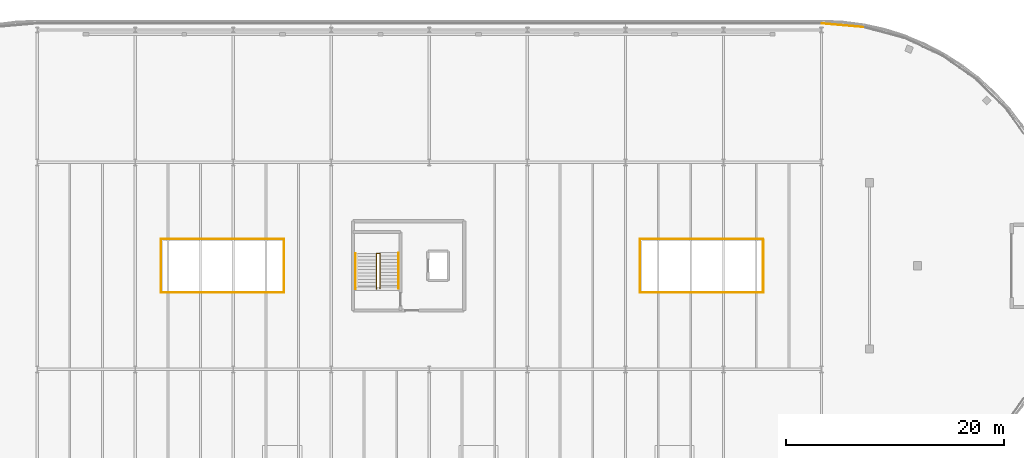
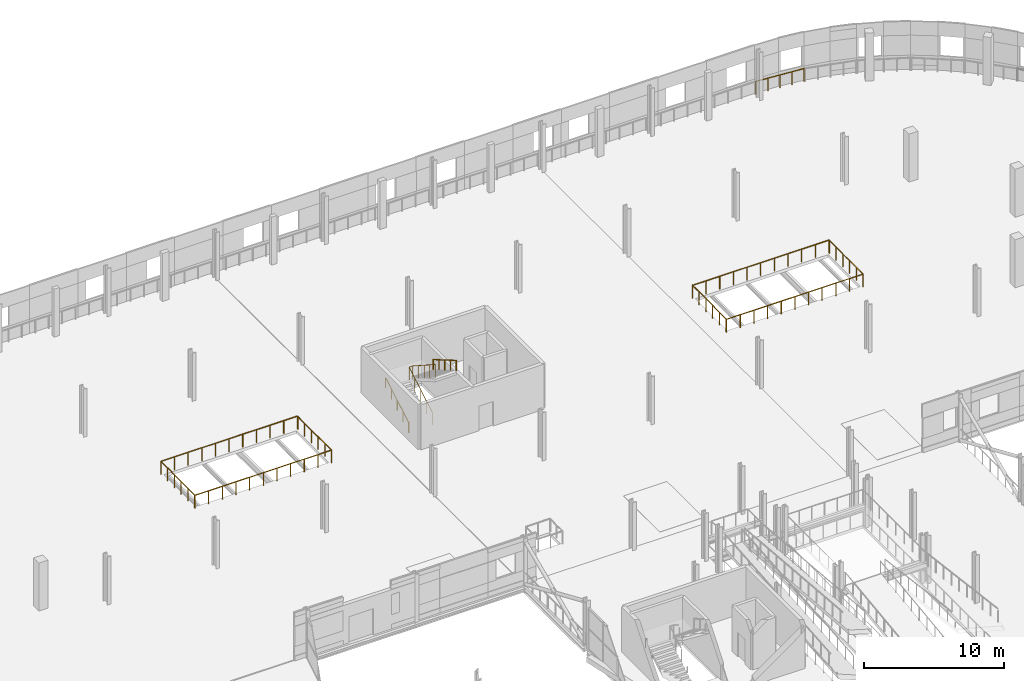
# One storey, part 134 of 140: 8 railings.
"""IFC4 building model written with IfcOpenShell, lengths in metres."""

import ifcopenshell
import ifcopenshell.guid

model = None  # the IFC model being written
_history = None  # IfcOwnerHistory: only IFC2X3 demands one
_inside = {}  # id of a spatial element -> (the spatial element, [elements in it])
_under = {}  # id of a project, library or spatial element -> (it, [spatial elements below it])
_declared = {}  # id of a project -> (the project, [libraries it declares])
_typed = {}  # id of a type object -> (the type object, [elements of that type])
_made_of = {}  # id of a material, layer set ... -> (it, [elements and type objects made of it])


def new_model(schema):
    """Start an empty IFC model of exactly this schema.

    Asked for "IFC4X3", IfcOpenShell would pick the latest addendum, in which some entities
    have other attributes; the version numbers below select the first issue.
    IFC2X3 requires an IfcOwnerHistory on every rooted entity: one is made here for all.
    """
    global model, _history
    if schema == "IFC4X3":
        model = ifcopenshell.file(schema_version=(4, 3, 0, 0))
    else:
        model = ifcopenshell.file(schema=schema)
    _inside.clear()
    _under.clear()
    _declared.clear()
    _typed.clear()
    _made_of.clear()
    _history = None
    if model.schema == "IFC2X3":
        org = make("IfcOrganization", Name="unknown")
        user = make(
            "IfcPersonAndOrganization",
            ThePerson=make("IfcPerson", FamilyName="unknown"),
            TheOrganization=org,
        )
        app = make(
            "IfcApplication",
            ApplicationDeveloper=org,
            Version="unknown",
            ApplicationFullName="unknown",
            ApplicationIdentifier="unknown",
        )
        _history = make(
            "IfcOwnerHistory",
            OwningUser=user,
            OwningApplication=app,
            ChangeAction="ADDED",
            CreationDate=0,
        )
    return model


def make(cls, **values):
    """One entity of the class cls with the attributes given. An attribute that is None is left unset."""
    return model.create_entity(
        cls, **{name: value for name, value in values.items() if value is not None}
    )


def rooted(cls, **values):
    """An entity with a GlobalId (a new one), such as an element, a storey or a relation."""
    return make(cls, GlobalId=ifcopenshell.guid.new(), OwnerHistory=_history, **values)


def si_unit(unit_type, name, prefix=None):
    """IfcSIUnit, for example si_unit("LENGTHUNIT", "METRE", prefix="MILLI")."""
    return make("IfcSIUnit", UnitType=unit_type, Prefix=prefix, Name=name)


def assignment(units):
    """IfcUnitAssignment: the units of a project."""
    return None if units is None else make("IfcUnitAssignment", Units=units)


def point(xyz):
    """IfcCartesianPoint."""
    return None if xyz is None else make("IfcCartesianPoint", Coordinates=xyz)


def direction(xyz):
    """IfcDirection."""
    return None if xyz is None else make("IfcDirection", DirectionRatios=xyz)


def frame(location, z_axis=None, x_axis=None):
    """IfcAxis2Placement3D, a coordinate frame: its origin and axes. An axis left out is left unset."""
    return make(
        "IfcAxis2Placement3D",
        Location=point(location),
        Axis=direction(z_axis),
        RefDirection=direction(x_axis),
    )


def frame_2d(location, x_axis=None):
    """IfcAxis2Placement2D, a coordinate frame in the plane: its origin and x axis."""
    return make(
        "IfcAxis2Placement2D", Location=point(location), RefDirection=direction(x_axis)
    )


def origin():
    """The frame at (0, 0, 0) with its axes left unset."""
    return frame((0.0, 0.0, 0.0))


def origin_2d():
    """The frame at (0, 0) in the plane with its x axis left unset."""
    return frame_2d((0.0, 0.0))


def place(relative_to, where):
    """IfcLocalPlacement: puts the frame where relative to a parent placement (None: the world)."""
    return make(
        "IfcLocalPlacement", PlacementRelTo=relative_to, RelativePlacement=where
    )


def context(
    kind, dimensions, precision=None, world=None, true_north=None, identifier=None
):
    """IfcGeometricRepresentationContext, for example the 3D "Model" context."""
    return make(
        "IfcGeometricRepresentationContext",
        ContextIdentifier=identifier,
        ContextType=kind,
        CoordinateSpaceDimension=dimensions,
        Precision=precision,
        WorldCoordinateSystem=world,
        TrueNorth=true_north,
    )


def subcontext(parent, identifier, kind, view, scale=None):
    """IfcGeometricRepresentationSubContext, for example "Body" below "Model"."""
    return make(
        "IfcGeometricRepresentationSubContext",
        ContextIdentifier=identifier,
        ContextType=kind,
        ParentContext=parent,
        TargetScale=scale,
        TargetView=view,
    )


def project(units=None, contexts=None):
    """IfcProject with its units and contexts."""
    return rooted(
        "IfcProject",
        Name="project",
        RepresentationContexts=contexts,
        UnitsInContext=assignment(units),
    )


def spatial(cls, under=None, at=None, **own):
    """A site, building, storey or space (cls), placed at a placement, below another one or the project."""
    s = rooted(cls, ObjectPlacement=at, **own)
    if under is not None:
        _under.setdefault(under.id(), (under, []))[1].append(s)
    return s


def profile(cls, at=None, kind="AREA", **sizes):
    """A parametric profile (cls). Its sizes go by their IFC names, for example OverallWidth=200.0."""
    return make(cls, ProfileType=kind, Position=at, **sizes)


def circle(**sizes):
    """IfcCircleProfileDef."""
    return profile("IfcCircleProfileDef", **sizes)


def extrude(swept, where, along, depth):
    """IfcExtrudedAreaSolid: the profile swept, set in the frame where, extruded along a direction by depth."""
    return make(
        "IfcExtrudedAreaSolid",
        SweptArea=swept,
        Position=where,
        ExtrudedDirection=direction(along),
        Depth=depth,
    )


def shape(context_of_items, identifier, shape_type, items):
    """IfcShapeRepresentation: the items that make up one representation, for example the "Body"."""
    return make(
        "IfcShapeRepresentation",
        ContextOfItems=context_of_items,
        RepresentationIdentifier=identifier,
        RepresentationType=shape_type,
        Items=items,
    )


def material(Name=None, Category=None):
    """IfcMaterial."""
    return make("IfcMaterial", Name=Name, Category=Category)


def made_of(thing, what):
    """Note that an element or type object is made of a material, layer set ...; save() writes the relation."""
    if what is not None:
        _made_of.setdefault(what.id(), (what, []))[1].append(thing)
    return thing


def type_object(cls, material=None, **own):
    """A type object (cls), such as IfcWallType, which elements share."""
    return made_of(rooted(cls, **own), material)


def element(
    cls,
    number,
    at=None,
    inside=None,
    cuts=None,
    type_object=None,
    material=None,
    context=None,
    identifier="Body",
    shape_type=None,
    held_by="IfcProductDefinitionShape",
    body=None,
    shapes=None,
    **own,
):
    """One element of the class cls, such as IfcWall. Its Tag is "e" and its number.

    at: its placement. inside: the storey or other place that contains it. cuts: it is an
    opening in that element (IfcRelVoidsElement). A single representation is given by context,
    identifier, shape_type and body (its items); several are given by shapes. held_by: the class
    of the entity that holds the representations. save() writes the other relations.
    """
    e = rooted(cls, Tag="e%d" % number, ObjectPlacement=at, **own)
    if body is not None:
        shapes = [shape(context, identifier, shape_type, body)]
    if shapes is not None:
        e.Representation = make(held_by, Representations=shapes)
    if inside is not None:
        _inside.setdefault(inside.id(), (inside, []))[1].append(e)
    if cuts is not None:
        rooted(
            "IfcRelVoidsElement", RelatingBuildingElement=cuts, RelatedOpeningElement=e
        )
    if type_object is not None:
        _typed.setdefault(type_object.id(), (type_object, []))[1].append(e)
    return made_of(e, material)


def aggregate(whole, parts):
    """IfcRelAggregates: a whole, such as a stair, and the parts it consists of."""
    return rooted("IfcRelAggregates", RelatingObject=whole, RelatedObjects=parts)


def save(model, path):
    """Write the relations noted so far, then the file.

    IfcRelAggregates (storeys below a building ...), IfcRelContainedInSpatialStructure (elements
    in a storey), IfcRelDefinesByType, IfcRelAssociatesMaterial and IfcRelDeclares: one each for
    every whole, place, type object, material and project.
    """
    for whole, parts in _under.values():
        aggregate(whole, parts)
    for where, things in _inside.values():
        rooted(
            "IfcRelContainedInSpatialStructure",
            RelatedElements=things,
            RelatingStructure=where,
        )
    for kind, things in _typed.values():
        rooted("IfcRelDefinesByType", RelatedObjects=things, RelatingType=kind)
    for what, things in _made_of.values():
        rooted("IfcRelAssociatesMaterial", RelatedObjects=things, RelatingMaterial=what)
    for by, libraries in _declared.values():
        rooted("IfcRelDeclares", RelatingContext=by, RelatedDefinitions=libraries)
    model.write(path)


model = new_model("IFC4")

# Units and contexts
model_context = context("Model", 3, precision=1e-05, world=origin(), true_north=direction((0.0, 1.0)))
body_context = subcontext(model_context, "Body", "Model", "MODEL_VIEW")
ifc_project = project(units=[si_unit("LENGTHUNIT", "METRE"), si_unit("AREAUNIT", "SQUARE_METRE"), si_unit("VOLUMEUNIT", "CUBIC_METRE"), si_unit("PLANEANGLEUNIT", "RADIAN"), si_unit("MASSUNIT", "GRAM", prefix="KILO")], contexts=[model_context])

# Site, building, storey
site_placement = place(None, origin())
site = spatial("IfcSite", under=ifc_project, at=site_placement, CompositionType="ELEMENT")
building_placement = place(site_placement, origin())
building = spatial("IfcBuilding", under=site, at=building_placement, Name="Deido Ridge Mobility Hub", CompositionType="ELEMENT")
storey_placement = place(building_placement, origin())
storey = spatial("IfcBuildingStorey", under=building, at=storey_placement, Name="L00", CompositionType="ELEMENT", Elevation=0.0)

# Railings
ifc_material_1 = material(Name="Galvanised steel work", Category="steel")
railing_type_1 = type_object("IfcRailingType", Name="RL-GRD-EXT-1150", PredefinedType="GUARDRAIL", material=ifc_material_1)
railing_1_placement = place(storey_placement, frame((120.823974609375, 125.41552734375, 0.0)))
element("IfcRailing", 1, at=railing_1_placement, inside=storey, type_object=railing_type_1, Name="Parking drum perimeter guard (L00)", PredefinedType="GUARDRAIL", context=body_context, shape_type="SweptSolid", body=[
    extrude(circle(Radius=0.02392578125, at=origin_2d()), frame((0.0, 0.0, 1.1259765625), z_axis=(-0.996195112607, 0.08715100469, 0.0), x_axis=(-0.08715100469, -0.996195112607, 0.0)), (0.0, 0.0, 1.0), 3.798583984375),
    extrude(circle(Radius=0.02099609375, at=origin_2d()), origin(), (0.0, 0.0, 1.0), 1.101806640625),
    extrude(circle(Radius=0.02099609375, at=origin_2d()), frame((-0.946044921875, 0.082763671875, 0.0)), (0.0, 0.0, 1.0), 1.101806640625),
    extrude(circle(Radius=0.02099609375, at=origin_2d()), frame((-1.89208984375, 0.16552734375, 0.0)), (0.0, 0.0, 1.0), 1.101806640625),
    extrude(circle(Radius=0.02099609375, at=origin_2d()), frame((-2.838134765625, 0.248291015625, 0.0)), (0.0, 0.0, 1.0), 1.101806640625),
    extrude(circle(Radius=0.02099609375, at=origin_2d()), frame((-3.7841796875, 0.3310546875, 0.0)), (0.0, 0.0, 1.0), 1.101806640625),
])
railing_2_placement = place(storey_placement, frame((56.35009765625, 101.050048828125, 0.0)))
element("IfcRailing", 2, at=railing_2_placement, inside=storey, type_object=railing_type_1, Name="Parking west lightwell guard (L00) A", PredefinedType="GUARDRAIL", context=body_context, shape_type="SweptSolid", body=[
    extrude(circle(Radius=0.02392578125, at=origin_2d()), frame((0.0, 0.0, 1.1259765625), z_axis=(1.0, 0.0, 0.0), x_axis=(0.0, 1.0, 0.0)), (0.0, 0.0, 1.0), 11.2998046875),
    extrude(circle(Radius=0.02392578125, at=origin_2d()), frame((11.2998046875, 0.0, 1.1259765625), z_axis=(0.0, 1.0, 0.0), x_axis=(-1.0, 0.0, 0.0)), (0.0, 0.0, 1.0), 4.83984375),
    extrude(circle(Radius=0.02099609375, at=origin_2d()), origin(), (0.0, 0.0, 1.0), 1.101806640625),
    extrude(circle(Radius=0.02099609375, at=origin_2d()), frame((1.1298828125, 0.0, 0.0)), (0.0, 0.0, 1.0), 1.101806640625),
    extrude(circle(Radius=0.02099609375, at=origin_2d()), frame((2.260009765625, 0.0, 0.0)), (0.0, 0.0, 1.0), 1.101806640625),
    extrude(circle(Radius=0.02099609375, at=origin_2d()), frame((3.389892578125, 0.0, 0.0)), (0.0, 0.0, 1.0), 1.101806640625),
    extrude(circle(Radius=0.02099609375, at=origin_2d()), frame((4.52001953125, 0.0, 0.0)), (0.0, 0.0, 1.0), 1.101806640625),
    extrude(circle(Radius=0.02099609375, at=origin_2d()), frame((5.64990234375, 0.0, 0.0)), (0.0, 0.0, 1.0), 1.101806640625),
    extrude(circle(Radius=0.02099609375, at=origin_2d()), frame((6.77978515625, 0.0, 0.0)), (0.0, 0.0, 1.0), 1.101806640625),
    extrude(circle(Radius=0.02099609375, at=origin_2d()), frame((7.909912109375, 0.0, 0.0)), (0.0, 0.0, 1.0), 1.101806640625),
    extrude(circle(Radius=0.02099609375, at=origin_2d()), frame((9.039794921875, 0.0, 0.0)), (0.0, 0.0, 1.0), 1.101806640625),
    extrude(circle(Radius=0.02099609375, at=origin_2d()), frame((10.169921875, 0.0, 0.0)), (0.0, 0.0, 1.0), 1.101806640625),
    extrude(circle(Radius=0.02099609375, at=origin_2d()), frame((11.2998046875, 0.0, 0.0)), (0.0, 0.0, 1.0), 1.101806640625),
    extrude(circle(Radius=0.02099609375, at=origin_2d()), frame((11.2998046875, 0.968017578125, 0.0)), (0.0, 0.0, 1.0), 1.101806640625),
    extrude(circle(Radius=0.02099609375, at=origin_2d()), frame((11.2998046875, 1.93603515625, 0.0)), (0.0, 0.0, 1.0), 1.101806640625),
    extrude(circle(Radius=0.02099609375, at=origin_2d()), frame((11.2998046875, 2.90380859375, 0.0)), (0.0, 0.0, 1.0), 1.101806640625),
    extrude(circle(Radius=0.02099609375, at=origin_2d()), frame((11.2998046875, 3.871826171875, 0.0)), (0.0, 0.0, 1.0), 1.101806640625),
    extrude(circle(Radius=0.02099609375, at=origin_2d()), frame((11.2998046875, 4.83984375, 0.0)), (0.0, 0.0, 1.0), 1.101806640625),
])
railing_3_placement = place(storey_placement, frame((67.64990234375, 105.949951171875, 0.0)))
element("IfcRailing", 3, at=railing_3_placement, inside=storey, type_object=railing_type_1, Name="Parking west lightwell guard (L00) B", PredefinedType="GUARDRAIL", context=body_context, shape_type="SweptSolid", body=[
    extrude(circle(Radius=0.02392578125, at=origin_2d()), frame((0.0, 0.0, 1.1259765625), z_axis=(-1.0, 0.0, 0.0), x_axis=(0.0, -1.0, 0.0)), (0.0, 0.0, 1.0), 11.2998046875),
    extrude(circle(Radius=0.02392578125, at=origin_2d()), frame((-11.2998046875, 0.0, 1.1259765625), z_axis=(0.0, -1.0, 0.0), x_axis=(1.0, 0.0, 0.0)), (0.0, 0.0, 1.0), 4.83984375),
    extrude(circle(Radius=0.02099609375, at=origin_2d()), origin(), (0.0, 0.0, 1.0), 1.101806640625),
    extrude(circle(Radius=0.02099609375, at=origin_2d()), frame((-1.1298828125, 0.0, 0.0)), (0.0, 0.0, 1.0), 1.101806640625),
    extrude(circle(Radius=0.02099609375, at=origin_2d()), frame((-2.260009765625, 0.0, 0.0)), (0.0, 0.0, 1.0), 1.101806640625),
    extrude(circle(Radius=0.02099609375, at=origin_2d()), frame((-3.389892578125, 0.0, 0.0)), (0.0, 0.0, 1.0), 1.101806640625),
    extrude(circle(Radius=0.02099609375, at=origin_2d()), frame((-4.52001953125, 0.0, 0.0)), (0.0, 0.0, 1.0), 1.101806640625),
    extrude(circle(Radius=0.02099609375, at=origin_2d()), frame((-5.64990234375, 0.0, 0.0)), (0.0, 0.0, 1.0), 1.101806640625),
    extrude(circle(Radius=0.02099609375, at=origin_2d()), frame((-6.77978515625, 0.0, 0.0)), (0.0, 0.0, 1.0), 1.101806640625),
    extrude(circle(Radius=0.02099609375, at=origin_2d()), frame((-7.909912109375, 0.0, 0.0)), (0.0, 0.0, 1.0), 1.101806640625),
    extrude(circle(Radius=0.02099609375, at=origin_2d()), frame((-9.039794921875, 0.0, 0.0)), (0.0, 0.0, 1.0), 1.101806640625),
    extrude(circle(Radius=0.02099609375, at=origin_2d()), frame((-10.169921875, 0.0, 0.0)), (0.0, 0.0, 1.0), 1.101806640625),
    extrude(circle(Radius=0.02099609375, at=origin_2d()), frame((-11.2998046875, 0.0, 0.0)), (0.0, 0.0, 1.0), 1.101806640625),
    extrude(circle(Radius=0.02099609375, at=origin_2d()), frame((-11.2998046875, -0.968017578125, 0.0)), (0.0, 0.0, 1.0), 1.101806640625),
    extrude(circle(Radius=0.02099609375, at=origin_2d()), frame((-11.2998046875, -1.93603515625, 0.0)), (0.0, 0.0, 1.0), 1.101806640625),
    extrude(circle(Radius=0.02099609375, at=origin_2d()), frame((-11.2998046875, -2.90380859375, 0.0)), (0.0, 0.0, 1.0), 1.101806640625),
    extrude(circle(Radius=0.02099609375, at=origin_2d()), frame((-11.2998046875, -3.871826171875, 0.0)), (0.0, 0.0, 1.0), 1.101806640625),
    extrude(circle(Radius=0.02099609375, at=origin_2d()), frame((-11.2998046875, -4.83984375, 0.0)), (0.0, 0.0, 1.0), 1.101806640625),
])
railing_4_placement = place(storey_placement, frame((100.35009765625, 101.050048828125, 0.0)))
element("IfcRailing", 4, at=railing_4_placement, inside=storey, type_object=railing_type_1, Name="Parking east lightwell guard (L00) A", PredefinedType="GUARDRAIL", context=body_context, shape_type="SweptSolid", body=[
    extrude(circle(Radius=0.02392578125, at=origin_2d()), frame((0.0, 0.0, 1.1259765625), z_axis=(1.0, 0.0, 0.0), x_axis=(0.0, 1.0, 0.0)), (0.0, 0.0, 1.0), 11.2998046875),
    extrude(circle(Radius=0.02392578125, at=origin_2d()), frame((11.2998046875, 0.0, 1.1259765625), z_axis=(0.0, 1.0, 0.0), x_axis=(-1.0, 0.0, 0.0)), (0.0, 0.0, 1.0), 4.83984375),
    extrude(circle(Radius=0.02099609375, at=origin_2d()), origin(), (0.0, 0.0, 1.0), 1.101806640625),
    extrude(circle(Radius=0.02099609375, at=origin_2d()), frame((1.1298828125, 0.0, 0.0)), (0.0, 0.0, 1.0), 1.101806640625),
    extrude(circle(Radius=0.02099609375, at=origin_2d()), frame((2.260009765625, 0.0, 0.0)), (0.0, 0.0, 1.0), 1.101806640625),
    extrude(circle(Radius=0.02099609375, at=origin_2d()), frame((3.389892578125, 0.0, 0.0)), (0.0, 0.0, 1.0), 1.101806640625),
    extrude(circle(Radius=0.02099609375, at=origin_2d()), frame((4.52001953125, 0.0, 0.0)), (0.0, 0.0, 1.0), 1.101806640625),
    extrude(circle(Radius=0.02099609375, at=origin_2d()), frame((5.64990234375, 0.0, 0.0)), (0.0, 0.0, 1.0), 1.101806640625),
    extrude(circle(Radius=0.02099609375, at=origin_2d()), frame((6.77978515625, 0.0, 0.0)), (0.0, 0.0, 1.0), 1.101806640625),
    extrude(circle(Radius=0.02099609375, at=origin_2d()), frame((7.909912109375, 0.0, 0.0)), (0.0, 0.0, 1.0), 1.101806640625),
    extrude(circle(Radius=0.02099609375, at=origin_2d()), frame((9.039794921875, 0.0, 0.0)), (0.0, 0.0, 1.0), 1.101806640625),
    extrude(circle(Radius=0.02099609375, at=origin_2d()), frame((10.169921875, 0.0, 0.0)), (0.0, 0.0, 1.0), 1.101806640625),
    extrude(circle(Radius=0.02099609375, at=origin_2d()), frame((11.2998046875, 0.0, 0.0)), (0.0, 0.0, 1.0), 1.101806640625),
    extrude(circle(Radius=0.02099609375, at=origin_2d()), frame((11.2998046875, 0.968017578125, 0.0)), (0.0, 0.0, 1.0), 1.101806640625),
    extrude(circle(Radius=0.02099609375, at=origin_2d()), frame((11.2998046875, 1.93603515625, 0.0)), (0.0, 0.0, 1.0), 1.101806640625),
    extrude(circle(Radius=0.02099609375, at=origin_2d()), frame((11.2998046875, 2.90380859375, 0.0)), (0.0, 0.0, 1.0), 1.101806640625),
    extrude(circle(Radius=0.02099609375, at=origin_2d()), frame((11.2998046875, 3.871826171875, 0.0)), (0.0, 0.0, 1.0), 1.101806640625),
    extrude(circle(Radius=0.02099609375, at=origin_2d()), frame((11.2998046875, 4.83984375, 0.0)), (0.0, 0.0, 1.0), 1.101806640625),
])
railing_5_placement = place(storey_placement, frame((111.64990234375, 105.949951171875, 0.0)))
element("IfcRailing", 5, at=railing_5_placement, inside=storey, type_object=railing_type_1, Name="Parking east lightwell guard (L00) B", PredefinedType="GUARDRAIL", context=body_context, shape_type="SweptSolid", body=[
    extrude(circle(Radius=0.02392578125, at=origin_2d()), frame((0.0, 0.0, 1.1259765625), z_axis=(-1.0, 0.0, 0.0), x_axis=(0.0, -1.0, 0.0)), (0.0, 0.0, 1.0), 11.2998046875),
    extrude(circle(Radius=0.02392578125, at=origin_2d()), frame((-11.2998046875, 0.0, 1.1259765625), z_axis=(0.0, -1.0, 0.0), x_axis=(1.0, 0.0, 0.0)), (0.0, 0.0, 1.0), 4.83984375),
    extrude(circle(Radius=0.02099609375, at=origin_2d()), origin(), (0.0, 0.0, 1.0), 1.101806640625),
    extrude(circle(Radius=0.02099609375, at=origin_2d()), frame((-1.1298828125, 0.0, 0.0)), (0.0, 0.0, 1.0), 1.101806640625),
    extrude(circle(Radius=0.02099609375, at=origin_2d()), frame((-2.260009765625, 0.0, 0.0)), (0.0, 0.0, 1.0), 1.101806640625),
    extrude(circle(Radius=0.02099609375, at=origin_2d()), frame((-3.389892578125, 0.0, 0.0)), (0.0, 0.0, 1.0), 1.101806640625),
    extrude(circle(Radius=0.02099609375, at=origin_2d()), frame((-4.52001953125, 0.0, 0.0)), (0.0, 0.0, 1.0), 1.101806640625),
    extrude(circle(Radius=0.02099609375, at=origin_2d()), frame((-5.64990234375, 0.0, 0.0)), (0.0, 0.0, 1.0), 1.101806640625),
    extrude(circle(Radius=0.02099609375, at=origin_2d()), frame((-6.77978515625, 0.0, 0.0)), (0.0, 0.0, 1.0), 1.101806640625),
    extrude(circle(Radius=0.02099609375, at=origin_2d()), frame((-7.909912109375, 0.0, 0.0)), (0.0, 0.0, 1.0), 1.101806640625),
    extrude(circle(Radius=0.02099609375, at=origin_2d()), frame((-9.039794921875, 0.0, 0.0)), (0.0, 0.0, 1.0), 1.101806640625),
    extrude(circle(Radius=0.02099609375, at=origin_2d()), frame((-10.169921875, 0.0, 0.0)), (0.0, 0.0, 1.0), 1.101806640625),
    extrude(circle(Radius=0.02099609375, at=origin_2d()), frame((-11.2998046875, 0.0, 0.0)), (0.0, 0.0, 1.0), 1.101806640625),
    extrude(circle(Radius=0.02099609375, at=origin_2d()), frame((-11.2998046875, -0.968017578125, 0.0)), (0.0, 0.0, 1.0), 1.101806640625),
    extrude(circle(Radius=0.02099609375, at=origin_2d()), frame((-11.2998046875, -1.93603515625, 0.0)), (0.0, 0.0, 1.0), 1.101806640625),
    extrude(circle(Radius=0.02099609375, at=origin_2d()), frame((-11.2998046875, -2.90380859375, 0.0)), (0.0, 0.0, 1.0), 1.101806640625),
    extrude(circle(Radius=0.02099609375, at=origin_2d()), frame((-11.2998046875, -3.871826171875, 0.0)), (0.0, 0.0, 1.0), 1.101806640625),
    extrude(circle(Radius=0.02099609375, at=origin_2d()), frame((-11.2998046875, -4.83984375, 0.0)), (0.0, 0.0, 1.0), 1.101806640625),
])
railing_type_2 = type_object("IfcRailingType", Name="RL-STAIR-GRD-1150", PredefinedType="GUARDRAIL", material=ifc_material_1)
railing_6_placement = place(storey_placement, frame((76.14990234375, 101.35009765625, 0.175048828125)))
element("IfcRailing", 6, at=railing_6_placement, inside=storey, type_object=railing_type_2, Name="ST5 inner well guard (L00)", PredefinedType="GUARDRAIL", context=body_context, shape_type="SweptSolid", body=[
    extrude(circle(Radius=0.02392578125, at=origin_2d()), frame((0.0, 0.0, 1.1259765625), z_axis=(0.0, 0.863760357493, 0.503902812876), x_axis=(-1.0, 0.0, 0.0)), (0.0, 0.0, 1.0), 3.8203125),
    extrude(circle(Radius=0.02392578125, at=origin_2d()), frame((0.0, 3.2998046875, 3.05078125), z_axis=(1.0, 0.0, 0.0), x_axis=(0.0, 1.0, 0.0)), (0.0, 0.0, 1.0), 0.300048828125),
    extrude(circle(Radius=0.02392578125, at=origin_2d()), frame((0.300048828125, 3.2998046875, 3.05078125), z_axis=(0.0, -0.839933924917, 0.542688678501), x_axis=(1.0, 0.0, 0.0)), (0.0, 0.0, 1.0), 3.869384765625),
    extrude(circle(Radius=0.02099609375, at=origin_2d()), origin(), (0.0, 0.0, 1.0), 1.101806640625),
    extrude(circle(Radius=0.02099609375, at=origin_2d()), frame((0.0, 0.824951171875, 0.481201171875)), (0.0, 0.0, 1.0), 1.101806640625),
    extrude(circle(Radius=0.02099609375, at=origin_2d()), frame((0.0, 1.64990234375, 0.96240234375)), (0.0, 0.0, 1.0), 1.101806640625),
    extrude(circle(Radius=0.02099609375, at=origin_2d()), frame((0.0, 2.474853515625, 1.44384765625)), (0.0, 0.0, 1.0), 1.101806640625),
    extrude(circle(Radius=0.02099609375, at=origin_2d()), frame((0.0, 3.2998046875, 1.925048828125)), (0.0, 0.0, 1.0), 1.101806640625),
    extrude(circle(Radius=0.02099609375, at=origin_2d()), frame((0.300048828125, 3.2998046875, 1.925048828125)), (0.0, 0.0, 1.0), 1.101806640625),
    extrude(circle(Radius=0.02099609375, at=origin_2d()), frame((0.300048828125, 2.4873046875, 2.449951171875)), (0.0, 0.0, 1.0), 1.101806640625),
    extrude(circle(Radius=0.02099609375, at=origin_2d()), frame((0.300048828125, 1.6748046875, 2.97509765625)), (0.0, 0.0, 1.0), 1.101806640625),
    extrude(circle(Radius=0.02099609375, at=origin_2d()), frame((0.300048828125, 0.8623046875, 3.5)), (0.0, 0.0, 1.0), 1.101806640625),
    extrude(circle(Radius=0.02099609375, at=origin_2d()), frame((0.300048828125, 0.0498046875, 4.02490234375)), (0.0, 0.0, 1.0), 1.101806640625),
])
ifc_material_2 = material(Name="Stainless steel 316", Category="steel")
railing_type_3 = type_object("IfcRailingType", Name="RL-STAIR-HND-900", PredefinedType="HANDRAIL", material=ifc_material_2)
railing_7_placement = place(storey_placement, frame((74.2099609375, 101.35009765625, 0.175048828125)))
element("IfcRailing", 7, at=railing_7_placement, inside=storey, type_object=railing_type_3, Name="ST5 flight 1 handrail (L00)", PredefinedType="HANDRAIL", context=body_context, shape_type="SweptSolid", body=[
    extrude(circle(Radius=0.02392578125, at=origin_2d()), frame((0.0, 0.0, 0.8759765625), z_axis=(0.0, 0.863760357493, 0.503902812876), x_axis=(-1.0, 0.0, 0.0)), (0.0, 0.0, 1.0), 3.8203125),
    extrude(circle(Radius=0.02099609375, at=origin_2d()), origin(), (0.0, 0.0, 1.0), 0.851806640625),
    extrude(circle(Radius=0.02099609375, at=origin_2d()), frame((0.0, 0.824951171875, 0.481201171875)), (0.0, 0.0, 1.0), 0.851806640625),
    extrude(circle(Radius=0.02099609375, at=origin_2d()), frame((0.0, 1.64990234375, 0.96240234375)), (0.0, 0.0, 1.0), 0.851806640625),
    extrude(circle(Radius=0.02099609375, at=origin_2d()), frame((0.0, 2.474853515625, 1.44384765625)), (0.0, 0.0, 1.0), 0.851806640625),
    extrude(circle(Radius=0.02099609375, at=origin_2d()), frame((0.0, 3.2998046875, 1.925048828125)), (0.0, 0.0, 1.0), 0.851806640625),
])
railing_8_placement = place(storey_placement, frame((78.175048828125, 104.699951171875, 2.27490234375)))
element("IfcRailing", 8, at=railing_8_placement, inside=storey, type_object=railing_type_3, Name="ST5 flight 2 handrail (L00)", PredefinedType="HANDRAIL", context=body_context, shape_type="SweptSolid", body=[
    extrude(circle(Radius=0.02392578125, at=origin_2d()), frame((0.0, 0.0, 0.8759765625), z_axis=(0.0, -0.863776583165, 0.503874998761), x_axis=(1.0, 0.0, 0.0)), (0.0, 0.0, 1.0), 3.820556640625),
    extrude(circle(Radius=0.02099609375, at=origin_2d()), origin(), (0.0, 0.0, 1.0), 0.851806640625),
    extrude(circle(Radius=0.02099609375, at=origin_2d()), frame((0.0, -0.824951171875, 0.481201171875)), (0.0, 0.0, 1.0), 0.851806640625),
    extrude(circle(Radius=0.02099609375, at=origin_2d()), frame((0.0, -1.64990234375, 0.96240234375)), (0.0, 0.0, 1.0), 0.851806640625),
    extrude(circle(Radius=0.02099609375, at=origin_2d()), frame((0.0, -2.47509765625, 1.44384765625)), (0.0, 0.0, 1.0), 0.851806640625),
    extrude(circle(Radius=0.02099609375, at=origin_2d()), frame((0.0, -3.300048828125, 1.925048828125)), (0.0, 0.0, 1.0), 0.851806640625),
])

save(model, "model.ifc")
